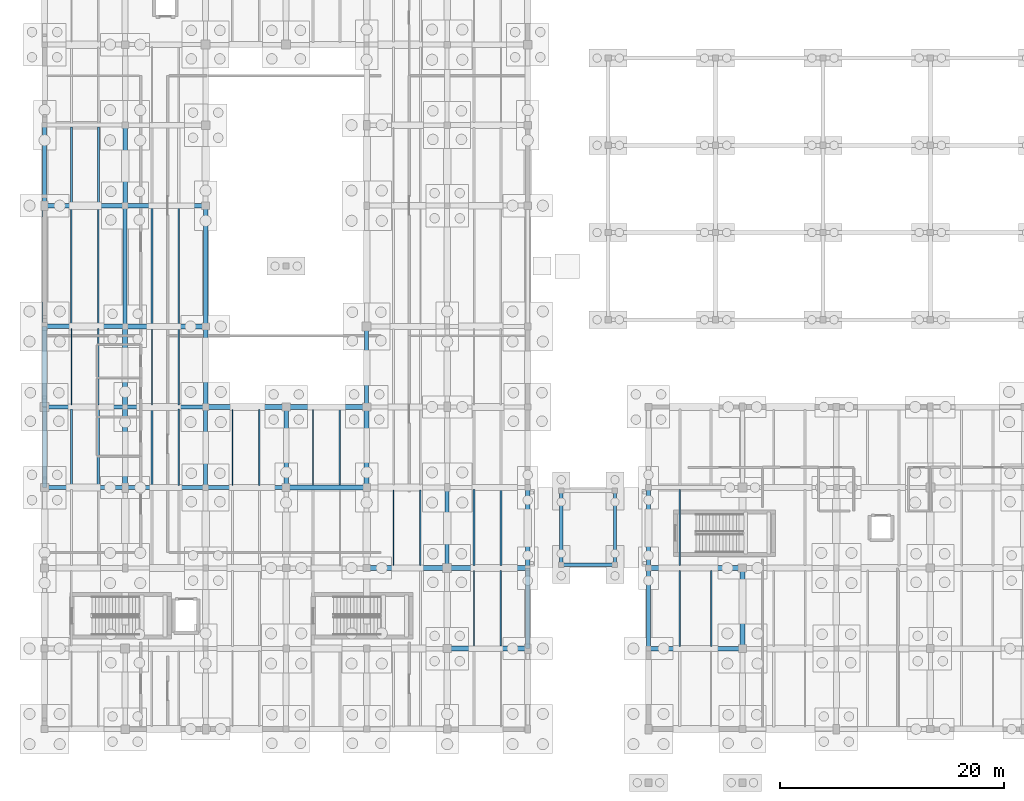
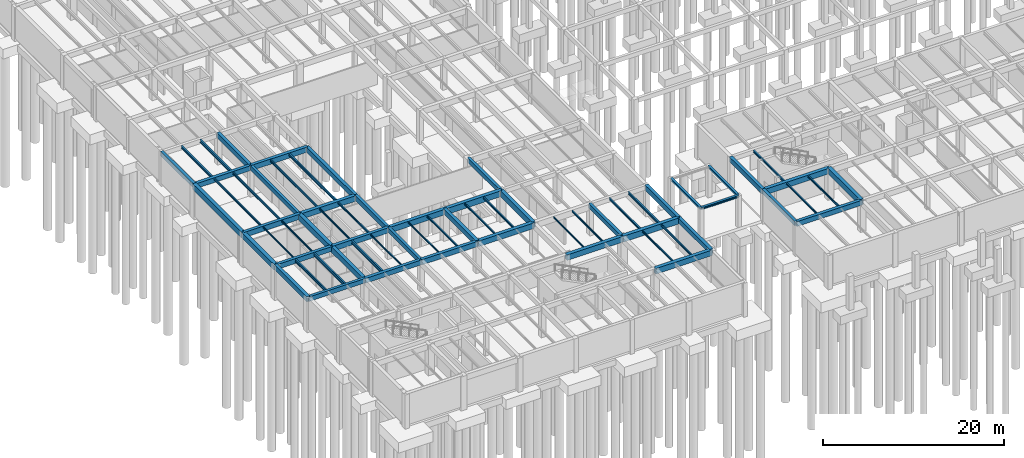
# One storey, part 24 of 63: 67 beams.
"""IFC4 building model written with IfcOpenShell, lengths in metres."""

from ifc_helpers import new_model, si_unit, direction, frame, origin, origin_2d, place, context, subcontext, project, spatial, rectangle, i_section, extrude, material, material_profile, profile_set, type_object, element, save


model = new_model("IFC4")

# Units and contexts
model_context = context("Model", 3, precision=1e-05, world=origin(), true_north=direction((0.0, 1.0)))
body_context = subcontext(model_context, "Body", "Model", "MODEL_VIEW")
ifc_project = project(units=[si_unit("LENGTHUNIT", "METRE"), si_unit("AREAUNIT", "SQUARE_METRE"), si_unit("VOLUMEUNIT", "CUBIC_METRE"), si_unit("PLANEANGLEUNIT", "RADIAN"), si_unit("MASSUNIT", "GRAM", prefix="KILO")], contexts=[model_context])

# Site, building, storey
site_placement = place(None, origin())
site = spatial("IfcSite", under=ifc_project, at=site_placement, CompositionType="ELEMENT")
building_placement = place(site_placement, origin())
building = spatial("IfcBuilding", under=site, at=building_placement, Name="Mazaris Harbour Polytechnic", CompositionType="ELEMENT")
storey_placement = place(building_placement, frame((0.0, 0.0, -4.5)))
storey = spatial("IfcBuildingStorey", under=building, at=storey_placement, Name="B1", CompositionType="ELEMENT", Elevation=-4.5)

# Beams
ifc_material_1 = material(Name="Concrete C35/45", Category="concrete")
ifc_material_profile_1 = material_profile(ifc_material_1, rectangle(XDim=0.35009765625, YDim=0.60009765625, at=origin_2d()), Name="RECT350x600")
ifc_profile_set_1 = profile_set([ifc_material_profile_1], Name="Concrete C35/45")
beam_type_1 = type_object("IfcBeamType", Name="RC Girder 350x600", PredefinedType="BEAM", material=ifc_profile_set_1)
beam_1_placement = place(storey_placement, frame((0.0, 28.800048828125, 3.8798828125), z_axis=(1.0, 0.0, 0.0), x_axis=(0.0, 1.0, 0.0)))
element("IfcBeam", 1, at=beam_1_placement, inside=storey, type_object=beam_type_1, Name="V4 B1 Girder 1100", PredefinedType="BEAM", context=body_context, shape_type="SweptSolid", body=[
    extrude(rectangle(XDim=0.35009765625, YDim=0.60009765625, at=origin_2d()), origin(), (0.0, 0.0, 1.0), 7.199951171875),
])
beam_2_placement = place(storey_placement, frame((7.199951171875, 43.199951171875, 3.8798828125), z_axis=(0.0, 1.0, 0.0), x_axis=(-1.0, 0.0, 0.0)))
element("IfcBeam", 2, at=beam_2_placement, inside=storey, type_object=beam_type_1, Name="V4 B1 Tie Girder 1170", PredefinedType="BEAM", context=body_context, shape_type="SweptSolid", body=[
    extrude(rectangle(XDim=0.35009765625, YDim=0.60009765625, at=origin_2d()), origin(), (0.0, 0.0, 1.0), 10.800048828125),
])
for number, where, z_axis, x_axis, name in (
    (3, (14.39990234375, 28.800048828125, 3.8798828125), (0.0, 1.0, 0.0), (-1.0, 0.0, 0.0), "V4 B1 Tie Girder 1180"),
    (4, (28.800048828125, 36.0, 3.8798828125), (0.0, 1.0, 0.0), (-1.0, 0.0, 0.0), "V4 B1 Tie Girder 1200"),
    (5, (36.0, 21.60009765625, 3.8798828125), (0.0, 1.0, 0.0), (-1.0, 0.0, 0.0), "V4 B1 Tie Girder 1210"),
):
    element("IfcBeam", number, at=place(storey_placement, frame(where, z_axis=z_axis, x_axis=x_axis)), inside=storey, type_object=beam_type_1, Name=name, PredefinedType="BEAM", context=body_context, shape_type="SweptSolid", body=[
        extrude(rectangle(XDim=0.35009765625, YDim=0.60009765625, at=origin_2d()), origin(), (0.0, 0.0, 1.0), 7.199951171875),
    ])
ifc_material_2 = material(Name="Concrete C35/45", Category="concrete")
ifc_material_profile_2 = material_profile(ifc_material_2, rectangle(XDim=0.35009765625, YDim=0.60009765625, at=origin_2d()), Name="RECT350x600")
ifc_profile_set_2 = profile_set([ifc_material_profile_2], Name="Concrete C35/45")
beam_type_2 = type_object("IfcBeamType", Name="RC Girder 350x600 Exterior", PredefinedType="BEAM", material=ifc_profile_set_2)
beam_3_placement = place(storey_placement, frame((54.0, 14.39990234375, 3.8798828125), z_axis=(0.0, 1.0, 0.0), x_axis=(-1.0, 0.0, 0.0)))
element("IfcBeam", 6, at=beam_3_placement, inside=storey, type_object=beam_type_2, Name="V3 B1 Tie Girder 775", PredefinedType="BEAM", context=body_context, shape_type="SweptSolid", body=[
    extrude(rectangle(XDim=0.35009765625, YDim=0.60009765625, at=origin_2d()), origin(), (0.0, 0.0, 1.0), 7.2001953125),
])
beam_4_placement = place(storey_placement, frame((0.0, 54.0, 3.8798828125), z_axis=(0.0, 1.0, 0.0), x_axis=(-1.0, 0.0, 0.0)))
element("IfcBeam", 7, at=beam_4_placement, inside=storey, type_object=beam_type_2, Name="V4 B1 Tie Girder 1160", PredefinedType="BEAM", context=body_context, shape_type="SweptSolid", body=[
    extrude(rectangle(XDim=0.35009765625, YDim=0.60009765625, at=origin_2d()), origin(), (0.0, 0.0, 1.0), 7.199951171875),
])
ifc_material_3 = material(Name="Concrete C35/45", Category="concrete")
ifc_material_profile_3 = material_profile(ifc_material_3, rectangle(XDim=0.39990234375, YDim=0.64990234375, at=origin_2d()), Name="RECT400x650")
ifc_profile_set_3 = profile_set([ifc_material_profile_3], Name="Concrete C35/45")
beam_type_3 = type_object("IfcBeamType", Name="RC Girder 400x650", PredefinedType="BEAM", material=ifc_profile_set_3)
beam_5_placement = place(storey_placement, frame((54.0, 14.39990234375, 3.85498046875), z_axis=(1.0, 0.0, 0.0), x_axis=(0.0, 1.0, 0.0)))
element("IfcBeam", 8, at=beam_5_placement, inside=storey, type_object=beam_type_3, Name="V3 B1 Girder 746", PredefinedType="BEAM", context=body_context, shape_type="SweptSolid", body=[
    extrude(rectangle(XDim=0.39990234375, YDim=0.64990234375, at=origin_2d()), origin(), (0.0, 0.0, 1.0), 8.39990234375),
])
for number, where, z_axis, x_axis, name in (
    (9, (7.199951171875, 28.800048828125, 3.85498046875), (1.0, 0.0, 0.0), (0.0, 1.0, 0.0), "V4 B1 Girder 1101"),
    (10, (0.0, 36.0, 3.85498046875), (1.0, 0.0, 0.0), (0.0, 1.0, 0.0), "V4 B1 Girder 1106"),
    (11, (0.0, 54.0, 3.85498046875), (1.0, 0.0, 0.0), (0.0, 1.0, 0.0), "V4 B1 Girder 1116"),
    (12, (7.199951171875, 54.0, 3.85498046875), (0.0, 1.0, 0.0), (-1.0, 0.0, 0.0), "V4 B1 Tie Girder 1171"),
    (13, (14.39990234375, 36.0, 3.85498046875), (0.0, 1.0, 0.0), (-1.0, 0.0, 0.0), "V4 B1 Tie Girder 1181"),
):
    element("IfcBeam", number, at=place(storey_placement, frame(where, z_axis=z_axis, x_axis=x_axis)), inside=storey, type_object=beam_type_3, Name=name, PredefinedType="BEAM", context=body_context, shape_type="SweptSolid", body=[
        extrude(rectangle(XDim=0.39990234375, YDim=0.64990234375, at=origin_2d()), origin(), (0.0, 0.0, 1.0), 7.199951171875),
    ])
ifc_material_4 = material(Name="Concrete C35/45", Category="concrete")
ifc_material_profile_4 = material_profile(ifc_material_4, rectangle(XDim=0.39990234375, YDim=0.64990234375, at=origin_2d()), Name="RECT400x650")
ifc_profile_set_4 = profile_set([ifc_material_profile_4], Name="Concrete C35/45")
beam_type_4 = type_object("IfcBeamType", Name="RC Girder 400x650 Exterior", PredefinedType="BEAM", material=ifc_profile_set_4)
beam_6_placement = place(storey_placement, frame((54.0, 21.60009765625, 3.85498046875), z_axis=(0.0, 1.0, 0.0), x_axis=(-1.0, 0.0, 0.0)))
element("IfcBeam", 14, at=beam_6_placement, inside=storey, type_object=beam_type_4, Name="V3 B1 Tie Girder 776", PredefinedType="BEAM", context=body_context, shape_type="SweptSolid", body=[
    extrude(rectangle(XDim=0.39990234375, YDim=0.64990234375, at=origin_2d()), origin(), (0.0, 0.0, 1.0), 7.199951171875),
])
beam_7_placement = place(storey_placement, frame((43.199951171875, 14.39990234375, 3.85498046875), z_axis=(0.0, 1.0, 0.0), x_axis=(-1.0, 0.0, 0.0)))
element("IfcBeam", 15, at=beam_7_placement, inside=storey, type_object=beam_type_4, Name="V4 B1 Tie Girder 1221", PredefinedType="BEAM", context=body_context, shape_type="SweptSolid", body=[
    extrude(rectangle(XDim=0.39990234375, YDim=0.64990234375, at=origin_2d()), origin(), (0.0, 0.0, 1.0), 7.2001953125),
])
ifc_material_5 = material(Name="Concrete C35/45", Category="concrete")
ifc_material_profile_5 = material_profile(ifc_material_5, rectangle(XDim=0.39990234375, YDim=0.699951171875, at=origin_2d()), Name="RECT400x700")
ifc_profile_set_5 = profile_set([ifc_material_profile_5], Name="Concrete C35/45")
beam_type_5 = type_object("IfcBeamType", Name="RC Girder 400x700", PredefinedType="BEAM", material=ifc_profile_set_5)
beam_8_placement = place(storey_placement, frame((14.39990234375, 28.800048828125, 3.830078125), z_axis=(1.0, 0.0, 0.0), x_axis=(0.0, 1.0, 0.0)))
element("IfcBeam", 16, at=beam_8_placement, inside=storey, type_object=beam_type_5, Name="V4 B1 Girder 1102", PredefinedType="BEAM", context=body_context, shape_type="SweptSolid", body=[
    extrude(rectangle(XDim=0.39990234375, YDim=0.699951171875, at=origin_2d()), origin(), (0.0, 0.0, 1.0), 7.2001953125),
])
for number, where, z_axis, x_axis, name in (
    (17, (7.199951171875, 36.0, 3.830078125), (1.0, 0.0, 0.0), (0.0, 1.0, 0.0), "V4 B1 Girder 1107"),
    (18, (0.0, 43.199951171875, 3.830078125), (1.0, 0.0, 0.0), (0.0, 1.0, 0.0), "V4 B1 Girder 1112"),
    (19, (7.199951171875, 54.0, 3.830078125), (1.0, 0.0, 0.0), (0.0, 1.0, 0.0), "V4 B1 Girder 1117"),
):
    element("IfcBeam", number, at=place(storey_placement, frame(where, z_axis=z_axis, x_axis=x_axis)), inside=storey, type_object=beam_type_5, Name=name, PredefinedType="BEAM", context=body_context, shape_type="SweptSolid", body=[
        extrude(rectangle(XDim=0.39990234375, YDim=0.699951171875, at=origin_2d()), origin(), (0.0, 0.0, 1.0), 7.199951171875),
    ])
beam_9_placement = place(storey_placement, frame((14.39990234375, 43.199951171875, 3.830078125), z_axis=(0.0, 1.0, 0.0), x_axis=(-1.0, 0.0, 0.0)))
element("IfcBeam", 20, at=beam_9_placement, inside=storey, type_object=beam_type_5, Name="V4 B1 Tie Girder 1182", PredefinedType="BEAM", context=body_context, shape_type="SweptSolid", body=[
    extrude(rectangle(XDim=0.39990234375, YDim=0.699951171875, at=origin_2d()), origin(), (0.0, 0.0, 1.0), 10.800048828125),
])
beam_10_placement = place(storey_placement, frame((21.60009765625, 28.800048828125, 3.830078125), z_axis=(0.0, 1.0, 0.0), x_axis=(-1.0, 0.0, 0.0)))
element("IfcBeam", 21, at=beam_10_placement, inside=storey, type_object=beam_type_5, Name="V4 B1 Tie Girder 1192", PredefinedType="BEAM", context=body_context, shape_type="SweptSolid", body=[
    extrude(rectangle(XDim=0.39990234375, YDim=0.699951171875, at=origin_2d()), origin(), (0.0, 0.0, 1.0), 7.199951171875),
])
ifc_material_6 = material(Name="Concrete C35/45", Category="concrete")
ifc_material_profile_6 = material_profile(ifc_material_6, rectangle(XDim=0.39990234375, YDim=0.699951171875, at=origin_2d()), Name="RECT400x700")
ifc_profile_set_6 = profile_set([ifc_material_profile_6], Name="Concrete C35/45")
beam_type_6 = type_object("IfcBeamType", Name="RC Girder 400x700 Exterior", PredefinedType="BEAM", material=ifc_profile_set_6)
for number, where, z_axis, x_axis, name in (
    (22, (0.0, 28.800048828125, 3.830078125), (0.0, 1.0, 0.0), (-1.0, 0.0, 0.0), "V4 B1 Tie Girder 1157"),
    (23, (43.199951171875, 21.60009765625, 3.830078125), (0.0, 1.0, 0.0), (-1.0, 0.0, 0.0), "V4 B1 Tie Girder 1222"),
):
    element("IfcBeam", number, at=place(storey_placement, frame(where, z_axis=z_axis, x_axis=x_axis)), inside=storey, type_object=beam_type_6, Name=name, PredefinedType="BEAM", context=body_context, shape_type="SweptSolid", body=[
        extrude(rectangle(XDim=0.39990234375, YDim=0.699951171875, at=origin_2d()), origin(), (0.0, 0.0, 1.0), 7.199951171875),
    ])
ifc_material_7 = material(Name="Concrete C40/50", Category="concrete")
ifc_material_profile_7 = material_profile(ifc_material_7, rectangle(XDim=0.449951171875, YDim=0.75, at=origin_2d()), Name="RECT450x750")
ifc_profile_set_7 = profile_set([ifc_material_profile_7], Name="Concrete C40/50")
beam_type_7 = type_object("IfcBeamType", Name="RC Girder 450x750", PredefinedType="BEAM", material=ifc_profile_set_7)
beam_11_placement = place(storey_placement, frame((54.0, 21.60009765625, 3.804931640625), z_axis=(1.0, 0.0, 0.0), x_axis=(0.0, 1.0, 0.0)))
element("IfcBeam", 24, at=beam_11_placement, inside=storey, type_object=beam_type_7, Name="V3 B1 Girder 753", PredefinedType="BEAM", context=body_context, shape_type="SweptSolid", body=[
    extrude(rectangle(XDim=0.449951171875, YDim=0.75, at=origin_2d()), origin(), (0.0, 0.0, 1.0), 8.39990234375),
])
for number, where, z_axis, x_axis, name in (
    (25, (36.0, 14.39990234375, 3.804931640625), (1.0, 0.0, 0.0), (0.0, 1.0, 0.0), "V4 B1 Girder 1093"),
    (26, (28.800048828125, 21.60009765625, 3.804931640625), (1.0, 0.0, 0.0), (0.0, 1.0, 0.0), "V4 B1 Girder 1098"),
    (27, (21.60009765625, 28.800048828125, 3.804931640625), (1.0, 0.0, 0.0), (0.0, 1.0, 0.0), "V4 B1 Girder 1103"),
):
    element("IfcBeam", number, at=place(storey_placement, frame(where, z_axis=z_axis, x_axis=x_axis)), inside=storey, type_object=beam_type_7, Name=name, PredefinedType="BEAM", context=body_context, shape_type="SweptSolid", body=[
        extrude(rectangle(XDim=0.449951171875, YDim=0.75, at=origin_2d()), origin(), (0.0, 0.0, 1.0), 7.199951171875),
    ])
beam_12_placement = place(storey_placement, frame((14.39990234375, 36.0, 3.804931640625), z_axis=(1.0, 0.0, 0.0), x_axis=(0.0, 1.0, 0.0)))
element("IfcBeam", 28, at=beam_12_placement, inside=storey, type_object=beam_type_7, Name="V4 B1 Girder 1108", PredefinedType="BEAM", context=body_context, shape_type="SweptSolid", body=[
    extrude(rectangle(XDim=0.449951171875, YDim=0.75, at=origin_2d()), origin(), (0.0, 0.0, 1.0), 7.2001953125),
])
for number, where, z_axis, x_axis, name in (
    (29, (7.199951171875, 43.199951171875, 3.804931640625), (1.0, 0.0, 0.0), (0.0, 1.0, 0.0), "V4 B1 Girder 1113"),
    (30, (7.199951171875, 28.800048828125, 3.804931640625), (0.0, 1.0, 0.0), (-1.0, 0.0, 0.0), "V4 B1 Tie Girder 1168"),
):
    element("IfcBeam", number, at=place(storey_placement, frame(where, z_axis=z_axis, x_axis=x_axis)), inside=storey, type_object=beam_type_7, Name=name, PredefinedType="BEAM", context=body_context, shape_type="SweptSolid", body=[
        extrude(rectangle(XDim=0.449951171875, YDim=0.75, at=origin_2d()), origin(), (0.0, 0.0, 1.0), 7.199951171875),
    ])
ifc_material_8 = material(Name="Concrete C40/50", Category="concrete")
ifc_material_profile_8 = material_profile(ifc_material_8, rectangle(XDim=0.449951171875, YDim=0.75, at=origin_2d()), Name="RECT450x750")
ifc_profile_set_8 = profile_set([ifc_material_profile_8], Name="Concrete C40/50")
beam_type_8 = type_object("IfcBeamType", Name="RC Girder 450x750 Exterior", PredefinedType="BEAM", material=ifc_profile_set_8)
beam_13_placement = place(storey_placement, frame((0.0, 36.0, 3.804931640625), z_axis=(0.0, 1.0, 0.0), x_axis=(-1.0, 0.0, 0.0)))
element("IfcBeam", 31, at=beam_13_placement, inside=storey, type_object=beam_type_8, Name="V4 B1 Tie Girder 1158", PredefinedType="BEAM", context=body_context, shape_type="SweptSolid", body=[
    extrude(rectangle(XDim=0.449951171875, YDim=0.75, at=origin_2d()), origin(), (0.0, 0.0, 1.0), 7.199951171875),
])
ifc_material_9 = material(Name="Concrete C40/50", Category="concrete")
ifc_material_profile_9 = material_profile(ifc_material_9, rectangle(XDim=0.449951171875, YDim=0.800048828125, at=origin_2d()), Name="RECT450x800")
ifc_profile_set_9 = profile_set([ifc_material_profile_9], Name="Concrete C40/50")
beam_type_9 = type_object("IfcBeamType", Name="RC Girder 450x800", PredefinedType="BEAM", material=ifc_profile_set_9)
beam_14_placement = place(storey_placement, frame((62.39990234375, 14.39990234375, 3.780029296875), z_axis=(0.0, 1.0, 0.0), x_axis=(-1.0, 0.0, 0.0)))
element("IfcBeam", 32, at=beam_14_placement, inside=storey, type_object=beam_type_9, Name="V3 B1 Tie Girder 779", PredefinedType="BEAM", context=body_context, shape_type="SweptSolid", body=[
    extrude(rectangle(XDim=0.449951171875, YDim=0.800048828125, at=origin_2d()), origin(), (0.0, 0.0, 1.0), 7.2001953125),
])
for number, where, z_axis, x_axis, name in (
    (33, (36.0, 21.60009765625, 3.780029296875), (1.0, 0.0, 0.0), (0.0, 1.0, 0.0), "V4 B1 Girder 1099"),
    (34, (21.60009765625, 36.0, 3.780029296875), (1.0, 0.0, 0.0), (0.0, 1.0, 0.0), "V4 B1 Girder 1109"),
    (35, (7.199951171875, 36.0, 3.780029296875), (0.0, 1.0, 0.0), (-1.0, 0.0, 0.0), "V4 B1 Tie Girder 1169"),
    (36, (28.800048828125, 28.800048828125, 3.780029296875), (0.0, 1.0, 0.0), (-1.0, 0.0, 0.0), "V4 B1 Tie Girder 1199"),
):
    element("IfcBeam", number, at=place(storey_placement, frame(where, z_axis=z_axis, x_axis=x_axis)), inside=storey, type_object=beam_type_9, Name=name, PredefinedType="BEAM", context=body_context, shape_type="SweptSolid", body=[
        extrude(rectangle(XDim=0.449951171875, YDim=0.800048828125, at=origin_2d()), origin(), (0.0, 0.0, 1.0), 7.199951171875),
    ])
ifc_material_10 = material(Name="Concrete C40/50", Category="concrete")
ifc_material_profile_10 = material_profile(ifc_material_10, rectangle(XDim=0.449951171875, YDim=0.800048828125, at=origin_2d()), Name="RECT450x800")
ifc_profile_set_10 = profile_set([ifc_material_profile_10], Name="Concrete C40/50")
beam_type_10 = type_object("IfcBeamType", Name="RC Girder 450x800 Exterior", PredefinedType="BEAM", material=ifc_profile_set_10)
beam_15_placement = place(storey_placement, frame((0.0, 43.199951171875, 3.780029296875), z_axis=(0.0, 1.0, 0.0), x_axis=(-1.0, 0.0, 0.0)))
element("IfcBeam", 37, at=beam_15_placement, inside=storey, type_object=beam_type_10, Name="V4 B1 Tie Girder 1159", PredefinedType="BEAM", context=body_context, shape_type="SweptSolid", body=[
    extrude(rectangle(XDim=0.449951171875, YDim=0.800048828125, at=origin_2d()), origin(), (0.0, 0.0, 1.0), 10.800048828125),
])
ifc_material_11 = material(Name="Steel S355", Category="steel")
ifc_material_profile_11 = material_profile(ifc_material_11, i_section(OverallWidth=0.300048828125, OverallDepth=0.2900390625, WebThickness=0.008544921875, FlangeThickness=0.013916015625, FilletRadius=0.027099609375, at=origin_2d()), Name="HEA 300")
ifc_profile_set_11 = profile_set([ifc_material_profile_11], Name="Steel S355")
beam_type_11 = type_object("IfcBeamType", Name="Steel Beam HEA300 Exterior", PredefinedType="SPANDREL", material=ifc_profile_set_11)
beam_16_placement = place(storey_placement, frame((46.199951171875, 21.89990234375, 4.090087890625), z_axis=(1.0, 0.0, 0.0), x_axis=(0.0, 1.0, 0.0)))
element("IfcBeam", 38, at=beam_16_placement, inside=storey, type_object=beam_type_11, Name="PB-W1 B1 Bridge Beam 3399", PredefinedType="SPANDREL", context=body_context, shape_type="SweptSolid", body=[
    extrude(i_section(OverallWidth=0.300048828125, OverallDepth=0.2900390625, WebThickness=0.008544921875, FlangeThickness=0.013916015625, FilletRadius=0.027099609375, at=origin_2d()), origin(), (0.0, 0.0, 1.0), 4.800048828125),
])
for number, where, z_axis, x_axis, name in (
    (39, (46.199951171875, 21.89990234375, 4.090087890625), (0.0, 1.0, 0.0), (-1.0, 0.0, 0.0), "PB-W1 B1 Bridge Beam 3400"),
    (40, (51.0, 21.89990234375, 4.090087890625), (0.0, 1.0, 0.0), (-1.0, 0.0, 0.0), "PB-W1 B1 Bridge Beam 3401"),
):
    element("IfcBeam", number, at=place(storey_placement, frame(where, z_axis=z_axis, x_axis=x_axis)), inside=storey, type_object=beam_type_11, Name=name, PredefinedType="SPANDREL", context=body_context, shape_type="SweptSolid", body=[
        extrude(i_section(OverallWidth=0.300048828125, OverallDepth=0.2900390625, WebThickness=0.008544921875, FlangeThickness=0.013916015625, FilletRadius=0.027099609375, at=origin_2d()), origin(), (0.0, 0.0, 1.0), 6.60009765625),
    ])
ifc_material_12 = material(Name="Steel S355", Category="steel")
ifc_material_profile_12 = material_profile(ifc_material_12, i_section(OverallWidth=0.10009765625, OverallDepth=0.199951171875, WebThickness=0.005615234375, FlangeThickness=0.008544921875, FilletRadius=0.011962890625, at=origin_2d()), Name="IPE 200")
ifc_profile_set_12 = profile_set([ifc_material_profile_12], Name="Steel S355")
beam_type_12 = type_object("IfcBeamType", Name="Steel Joist IPE200", PredefinedType="JOIST", material=ifc_profile_set_12)
for number, where, z_axis, x_axis, name in (
    (41, (2.39990234375, 36.199951171875, 4.080078125), (0.0, 1.0, 0.0), (-1.0, 0.0, 0.0), "V4 B1 Floor Joist 1239"),
    (42, (12.0, 29.0, 4.080078125), (0.0, 1.0, 0.0), (-1.0, 0.0, 0.0), "V4 B1 Floor Joist 1260"),
):
    element("IfcBeam", number, at=place(storey_placement, frame(where, z_axis=z_axis, x_axis=x_axis)), inside=storey, type_object=beam_type_12, Name=name, PredefinedType="JOIST", context=body_context, shape_type="SweptSolid", body=[
        extrude(i_section(OverallWidth=0.10009765625, OverallDepth=0.199951171875, WebThickness=0.005615234375, FlangeThickness=0.008544921875, FilletRadius=0.011962890625, at=origin_2d()), origin(), (0.0, 0.0, 1.0), 6.800048828125),
    ])
beam_17_placement = place(storey_placement, frame((16.800048828125, 29.0, 4.080078125), z_axis=(0.0, 1.0, 0.0), x_axis=(-1.0, 0.0, 0.0)))
element("IfcBeam", 43, at=beam_17_placement, inside=storey, type_object=beam_type_12, Name="V4 B1 Floor Joist 1281", PredefinedType="JOIST", context=body_context, shape_type="SweptSolid", body=[
    extrude(i_section(OverallWidth=0.10009765625, OverallDepth=0.199951171875, WebThickness=0.005615234375, FlangeThickness=0.008544921875, FilletRadius=0.011962890625, at=origin_2d()), origin(), (0.0, 0.0, 1.0), 6.77490234375),
])
beam_18_placement = place(storey_placement, frame((31.199951171875, 21.824951171875, 4.080078125), z_axis=(0.0, 1.0, 0.0), x_axis=(-1.0, 0.0, 0.0)))
element("IfcBeam", 44, at=beam_18_placement, inside=storey, type_object=beam_type_12, Name="V4 B1 Floor Joist 1309", PredefinedType="JOIST", context=body_context, shape_type="SweptSolid", body=[
    extrude(i_section(OverallWidth=0.10009765625, OverallDepth=0.199951171875, WebThickness=0.005615234375, FlangeThickness=0.008544921875, FilletRadius=0.011962890625, at=origin_2d()), origin(), (0.0, 0.0, 1.0), 6.75),
])
ifc_material_13 = material(Name="Steel S355", Category="steel")
ifc_material_profile_13 = material_profile(ifc_material_13, i_section(OverallWidth=0.1201171875, OverallDepth=0.239990234375, WebThickness=0.006103515625, FlangeThickness=0.009765625, FilletRadius=0.014892578125, at=origin_2d()), Name="IPE 240")
ifc_profile_set_13 = profile_set([ifc_material_profile_13], Name="Steel S355")
beam_type_13 = type_object("IfcBeamType", Name="Steel Joist IPE240", PredefinedType="JOIST", material=ifc_profile_set_13)
beam_19_placement = place(storey_placement, frame((56.800048828125, 14.60009765625, 4.06005859375), z_axis=(0.0, 1.0, 0.0), x_axis=(-1.0, 0.0, 0.0)))
element("IfcBeam", 45, at=beam_19_placement, inside=storey, type_object=beam_type_13, Name="V3 B1 Floor Joist 806", PredefinedType="JOIST", context=body_context, shape_type="SweptSolid", body=[
    extrude(i_section(OverallWidth=0.1201171875, OverallDepth=0.239990234375, WebThickness=0.006103515625, FlangeThickness=0.009765625, FilletRadius=0.014892578125, at=origin_2d()), origin(), (0.0, 0.0, 1.0), 6.77490234375),
])
beam_20_placement = place(storey_placement, frame((4.800048828125, 36.199951171875, 4.06005859375), z_axis=(0.0, 1.0, 0.0), x_axis=(-1.0, 0.0, 0.0)))
element("IfcBeam", 46, at=beam_20_placement, inside=storey, type_object=beam_type_13, Name="V4 B1 Floor Joist 1240", PredefinedType="JOIST", context=body_context, shape_type="SweptSolid", body=[
    extrude(i_section(OverallWidth=0.1201171875, OverallDepth=0.239990234375, WebThickness=0.006103515625, FlangeThickness=0.009765625, FilletRadius=0.014892578125, at=origin_2d()), origin(), (0.0, 0.0, 1.0), 6.800048828125),
])
beam_21_placement = place(storey_placement, frame((9.60009765625, 36.199951171875, 4.06005859375), z_axis=(0.0, 1.0, 0.0), x_axis=(-1.0, 0.0, 0.0)))
element("IfcBeam", 47, at=beam_21_placement, inside=storey, type_object=beam_type_13, Name="V4 B1 Floor Joist 1261", PredefinedType="JOIST", context=body_context, shape_type="SweptSolid", body=[
    extrude(i_section(OverallWidth=0.1201171875, OverallDepth=0.239990234375, WebThickness=0.006103515625, FlangeThickness=0.009765625, FilletRadius=0.014892578125, at=origin_2d()), origin(), (0.0, 0.0, 1.0), 6.775146484375),
])
beam_22_placement = place(storey_placement, frame((19.199951171875, 29.0, 4.06005859375), z_axis=(0.0, 1.0, 0.0), x_axis=(-1.0, 0.0, 0.0)))
element("IfcBeam", 48, at=beam_22_placement, inside=storey, type_object=beam_type_13, Name="V4 B1 Floor Joist 1282", PredefinedType="JOIST", context=body_context, shape_type="SweptSolid", body=[
    extrude(i_section(OverallWidth=0.1201171875, OverallDepth=0.239990234375, WebThickness=0.006103515625, FlangeThickness=0.009765625, FilletRadius=0.014892578125, at=origin_2d()), origin(), (0.0, 0.0, 1.0), 6.77490234375),
])
for number, where, z_axis, x_axis, name in (
    (49, (24.0, 29.02490234375, 4.06005859375), (0.0, 1.0, 0.0), (-1.0, 0.0, 0.0), "V4 B1 Floor Joist 1296"),
    (50, (33.60009765625, 21.824951171875, 4.06005859375), (0.0, 1.0, 0.0), (-1.0, 0.0, 0.0), "V4 B1 Floor Joist 1310"),
    (51, (38.39990234375, 14.625, 4.06005859375), (0.0, 1.0, 0.0), (-1.0, 0.0, 0.0), "V4 B1 Floor Joist 1331"),
):
    element("IfcBeam", number, at=place(storey_placement, frame(where, z_axis=z_axis, x_axis=x_axis)), inside=storey, type_object=beam_type_13, Name=name, PredefinedType="JOIST", context=body_context, shape_type="SweptSolid", body=[
        extrude(i_section(OverallWidth=0.1201171875, OverallDepth=0.239990234375, WebThickness=0.006103515625, FlangeThickness=0.009765625, FilletRadius=0.014892578125, at=origin_2d()), origin(), (0.0, 0.0, 1.0), 6.75),
    ])
ifc_material_14 = material(Name="Steel S355", Category="steel")
ifc_material_profile_14 = material_profile(ifc_material_14, i_section(OverallWidth=0.135009765625, OverallDepth=0.27001953125, WebThickness=0.006591796875, FlangeThickness=0.01025390625, FilletRadius=0.014892578125, at=origin_2d()), Name="IPE 270")
ifc_profile_set_14 = profile_set([ifc_material_profile_14], Name="Steel S355")
beam_type_14 = type_object("IfcBeamType", Name="Steel Joist IPE270", PredefinedType="JOIST", material=ifc_profile_set_14)
beam_23_placement = place(storey_placement, frame((59.60009765625, 14.60009765625, 4.044921875), z_axis=(0.0, 1.0, 0.0), x_axis=(-1.0, 0.0, 0.0)))
element("IfcBeam", 52, at=beam_23_placement, inside=storey, type_object=beam_type_14, Name="V3 B1 Floor Joist 807", PredefinedType="JOIST", context=body_context, shape_type="SweptSolid", body=[
    extrude(i_section(OverallWidth=0.135009765625, OverallDepth=0.27001953125, WebThickness=0.006591796875, FlangeThickness=0.01025390625, FilletRadius=0.014892578125, at=origin_2d()), origin(), (0.0, 0.0, 1.0), 6.77490234375),
])
beam_24_placement = place(storey_placement, frame((2.39990234375, 43.39990234375, 4.044921875), z_axis=(0.0, 1.0, 0.0), x_axis=(-1.0, 0.0, 0.0)))
element("IfcBeam", 53, at=beam_24_placement, inside=storey, type_object=beam_type_14, Name="V4 B1 Floor Joist 1241", PredefinedType="JOIST", context=body_context, shape_type="SweptSolid", body=[
    extrude(i_section(OverallWidth=0.135009765625, OverallDepth=0.27001953125, WebThickness=0.006591796875, FlangeThickness=0.01025390625, FilletRadius=0.014892578125, at=origin_2d()), origin(), (0.0, 0.0, 1.0), 10.400146484375),
])
beam_25_placement = place(storey_placement, frame((12.0, 36.199951171875, 4.044921875), z_axis=(0.0, 1.0, 0.0), x_axis=(-1.0, 0.0, 0.0)))
element("IfcBeam", 54, at=beam_25_placement, inside=storey, type_object=beam_type_14, Name="V4 B1 Floor Joist 1262", PredefinedType="JOIST", context=body_context, shape_type="SweptSolid", body=[
    extrude(i_section(OverallWidth=0.135009765625, OverallDepth=0.27001953125, WebThickness=0.006591796875, FlangeThickness=0.01025390625, FilletRadius=0.014892578125, at=origin_2d()), origin(), (0.0, 0.0, 1.0), 6.775146484375),
])
for number, where, z_axis, x_axis, name in (
    (55, (26.39990234375, 29.02490234375, 4.044921875), (0.0, 1.0, 0.0), (-1.0, 0.0, 0.0), "V4 B1 Floor Joist 1297"),
    (56, (40.800048828125, 14.625, 4.044921875), (0.0, 1.0, 0.0), (-1.0, 0.0, 0.0), "V4 B1 Floor Joist 1332"),
):
    element("IfcBeam", number, at=place(storey_placement, frame(where, z_axis=z_axis, x_axis=x_axis)), inside=storey, type_object=beam_type_14, Name=name, PredefinedType="JOIST", context=body_context, shape_type="SweptSolid", body=[
        extrude(i_section(OverallWidth=0.135009765625, OverallDepth=0.27001953125, WebThickness=0.006591796875, FlangeThickness=0.01025390625, FilletRadius=0.014892578125, at=origin_2d()), origin(), (0.0, 0.0, 1.0), 6.75),
    ])
ifc_material_15 = material(Name="Steel S355", Category="steel")
ifc_material_profile_15 = material_profile(ifc_material_15, i_section(OverallWidth=0.14990234375, OverallDepth=0.300048828125, WebThickness=0.007080078125, FlangeThickness=0.0107421875, FilletRadius=0.014892578125, at=origin_2d()), Name="IPE 300")
ifc_profile_set_15 = profile_set([ifc_material_profile_15], Name="Steel S355")
beam_type_15 = type_object("IfcBeamType", Name="Steel Joist IPE300", PredefinedType="JOIST", material=ifc_profile_set_15)
beam_26_placement = place(storey_placement, frame((56.800048828125, 21.824951171875, 4.030029296875), z_axis=(0.0, 1.0, 0.0), x_axis=(-1.0, 0.0, 0.0)))
element("IfcBeam", 57, at=beam_26_placement, inside=storey, type_object=beam_type_15, Name="V3 B1 Floor Joist 808", PredefinedType="JOIST", context=body_context, shape_type="SweptSolid", body=[
    extrude(i_section(OverallWidth=0.14990234375, OverallDepth=0.300048828125, WebThickness=0.007080078125, FlangeThickness=0.0107421875, FilletRadius=0.014892578125, at=origin_2d()), origin(), (0.0, 0.0, 1.0), 6.800048828125),
])
beam_27_placement = place(storey_placement, frame((4.800048828125, 43.39990234375, 4.030029296875), z_axis=(0.0, 1.0, 0.0), x_axis=(-1.0, 0.0, 0.0)))
element("IfcBeam", 58, at=beam_27_placement, inside=storey, type_object=beam_type_15, Name="V4 B1 Floor Joist 1242", PredefinedType="JOIST", context=body_context, shape_type="SweptSolid", body=[
    extrude(i_section(OverallWidth=0.14990234375, OverallDepth=0.300048828125, WebThickness=0.007080078125, FlangeThickness=0.0107421875, FilletRadius=0.014892578125, at=origin_2d()), origin(), (0.0, 0.0, 1.0), 10.400146484375),
])
beam_28_placement = place(storey_placement, frame((9.60009765625, 43.425048828125, 4.030029296875), z_axis=(0.0, 1.0, 0.0), x_axis=(-1.0, 0.0, 0.0)))
element("IfcBeam", 59, at=beam_28_placement, inside=storey, type_object=beam_type_15, Name="V4 B1 Floor Joist 1263", PredefinedType="JOIST", context=body_context, shape_type="SweptSolid", body=[
    extrude(i_section(OverallWidth=0.14990234375, OverallDepth=0.300048828125, WebThickness=0.007080078125, FlangeThickness=0.0107421875, FilletRadius=0.014892578125, at=origin_2d()), origin(), (0.0, 0.0, 1.0), 10.375),
])
beam_29_placement = place(storey_placement, frame((38.39990234375, 21.824951171875, 4.030029296875), z_axis=(0.0, 1.0, 0.0), x_axis=(-1.0, 0.0, 0.0)))
element("IfcBeam", 60, at=beam_29_placement, inside=storey, type_object=beam_type_15, Name="V4 B1 Floor Joist 1333", PredefinedType="JOIST", context=body_context, shape_type="SweptSolid", body=[
    extrude(i_section(OverallWidth=0.14990234375, OverallDepth=0.300048828125, WebThickness=0.007080078125, FlangeThickness=0.0107421875, FilletRadius=0.014892578125, at=origin_2d()), origin(), (0.0, 0.0, 1.0), 6.800048828125),
])
ifc_material_16 = material(Name="Steel S355", Category="steel")
ifc_material_profile_16 = material_profile(ifc_material_16, i_section(OverallWidth=0.169921875, OverallDepth=0.360107421875, WebThickness=0.008056640625, FlangeThickness=0.0126953125, FilletRadius=0.01806640625, at=origin_2d()), Name="IPE 360")
ifc_profile_set_16 = profile_set([ifc_material_profile_16], Name="Steel S355")
beam_type_16 = type_object("IfcBeamType", Name="Steel Joist IPE360", PredefinedType="JOIST", material=ifc_profile_set_16)
beam_30_placement = place(storey_placement, frame((2.39990234375, 54.199951171875, 4.0), z_axis=(0.0, 1.0, 0.0), x_axis=(-1.0, 0.0, 0.0)))
element("IfcBeam", 61, at=beam_30_placement, inside=storey, type_object=beam_type_16, Name="V4 B1 Floor Joist 1243", PredefinedType="JOIST", context=body_context, shape_type="SweptSolid", body=[
    extrude(i_section(OverallWidth=0.169921875, OverallDepth=0.360107421875, WebThickness=0.008056640625, FlangeThickness=0.0126953125, FilletRadius=0.01806640625, at=origin_2d()), origin(), (0.0, 0.0, 1.0), 6.824951171875),
])
beam_31_placement = place(storey_placement, frame((12.0, 43.425048828125, 4.0), z_axis=(0.0, 1.0, 0.0), x_axis=(-1.0, 0.0, 0.0)))
element("IfcBeam", 62, at=beam_31_placement, inside=storey, type_object=beam_type_16, Name="V4 B1 Floor Joist 1264", PredefinedType="JOIST", context=body_context, shape_type="SweptSolid", body=[
    extrude(i_section(OverallWidth=0.169921875, OverallDepth=0.360107421875, WebThickness=0.008056640625, FlangeThickness=0.0126953125, FilletRadius=0.01806640625, at=origin_2d()), origin(), (0.0, 0.0, 1.0), 10.375),
])
beam_32_placement = place(storey_placement, frame((40.800048828125, 21.824951171875, 4.0), z_axis=(0.0, 1.0, 0.0), x_axis=(-1.0, 0.0, 0.0)))
element("IfcBeam", 63, at=beam_32_placement, inside=storey, type_object=beam_type_16, Name="V4 B1 Floor Joist 1334", PredefinedType="JOIST", context=body_context, shape_type="SweptSolid", body=[
    extrude(i_section(OverallWidth=0.169921875, OverallDepth=0.360107421875, WebThickness=0.008056640625, FlangeThickness=0.0126953125, FilletRadius=0.01806640625, at=origin_2d()), origin(), (0.0, 0.0, 1.0), 6.800048828125),
])
ifc_material_17 = material(Name="Steel S355", Category="steel")
ifc_material_profile_17 = material_profile(ifc_material_17, i_section(OverallWidth=0.179931640625, OverallDepth=0.39990234375, WebThickness=0.008544921875, FlangeThickness=0.013427734375, FilletRadius=0.02099609375, at=origin_2d()), Name="IPE 400")
ifc_profile_set_17 = profile_set([ifc_material_profile_17], Name="Steel S355")
beam_type_17 = type_object("IfcBeamType", Name="Steel Joist IPE400", PredefinedType="JOIST", material=ifc_profile_set_17)
for number, where, z_axis, x_axis, name in (
    (64, (2.39990234375, 28.97509765625, 3.97998046875), (0.0, 1.0, 0.0), (-1.0, 0.0, 0.0), "V4 B1 Floor Joist 1237"),
    (65, (4.800048828125, 54.199951171875, 3.97998046875), (0.0, 1.0, 0.0), (-1.0, 0.0, 0.0), "V4 B1 Floor Joist 1244"),
):
    element("IfcBeam", number, at=place(storey_placement, frame(where, z_axis=z_axis, x_axis=x_axis)), inside=storey, type_object=beam_type_17, Name=name, PredefinedType="JOIST", context=body_context, shape_type="SweptSolid", body=[
        extrude(i_section(OverallWidth=0.179931640625, OverallDepth=0.39990234375, WebThickness=0.008544921875, FlangeThickness=0.013427734375, FilletRadius=0.02099609375, at=origin_2d()), origin(), (0.0, 0.0, 1.0), 6.824951171875),
    ])
ifc_material_18 = material(Name="Steel S355", Category="steel")
ifc_material_profile_18 = material_profile(ifc_material_18, i_section(OverallWidth=0.18994140625, OverallDepth=0.449951171875, WebThickness=0.009521484375, FlangeThickness=0.0146484375, FilletRadius=0.02099609375, at=origin_2d()), Name="IPE 450")
ifc_profile_set_18 = profile_set([ifc_material_profile_18], Name="Steel S355")
beam_type_18 = type_object("IfcBeamType", Name="Steel Joist IPE450", PredefinedType="JOIST", material=ifc_profile_set_18)
beam_33_placement = place(storey_placement, frame((4.800048828125, 28.97509765625, 3.955078125), z_axis=(0.0, 1.0, 0.0), x_axis=(-1.0, 0.0, 0.0)))
element("IfcBeam", 66, at=beam_33_placement, inside=storey, type_object=beam_type_18, Name="V4 B1 Floor Joist 1238", PredefinedType="JOIST", context=body_context, shape_type="SweptSolid", body=[
    extrude(i_section(OverallWidth=0.18994140625, OverallDepth=0.449951171875, WebThickness=0.009521484375, FlangeThickness=0.0146484375, FilletRadius=0.02099609375, at=origin_2d()), origin(), (0.0, 0.0, 1.0), 6.824951171875),
])
beam_34_placement = place(storey_placement, frame((9.60009765625, 29.0, 3.955078125), z_axis=(0.0, 1.0, 0.0), x_axis=(-1.0, 0.0, 0.0)))
element("IfcBeam", 67, at=beam_34_placement, inside=storey, type_object=beam_type_18, Name="V4 B1 Floor Joist 1259", PredefinedType="JOIST", context=body_context, shape_type="SweptSolid", body=[
    extrude(i_section(OverallWidth=0.18994140625, OverallDepth=0.449951171875, WebThickness=0.009521484375, FlangeThickness=0.0146484375, FilletRadius=0.02099609375, at=origin_2d()), origin(), (0.0, 0.0, 1.0), 6.800048828125),
])

save(model, "model.ifc")
